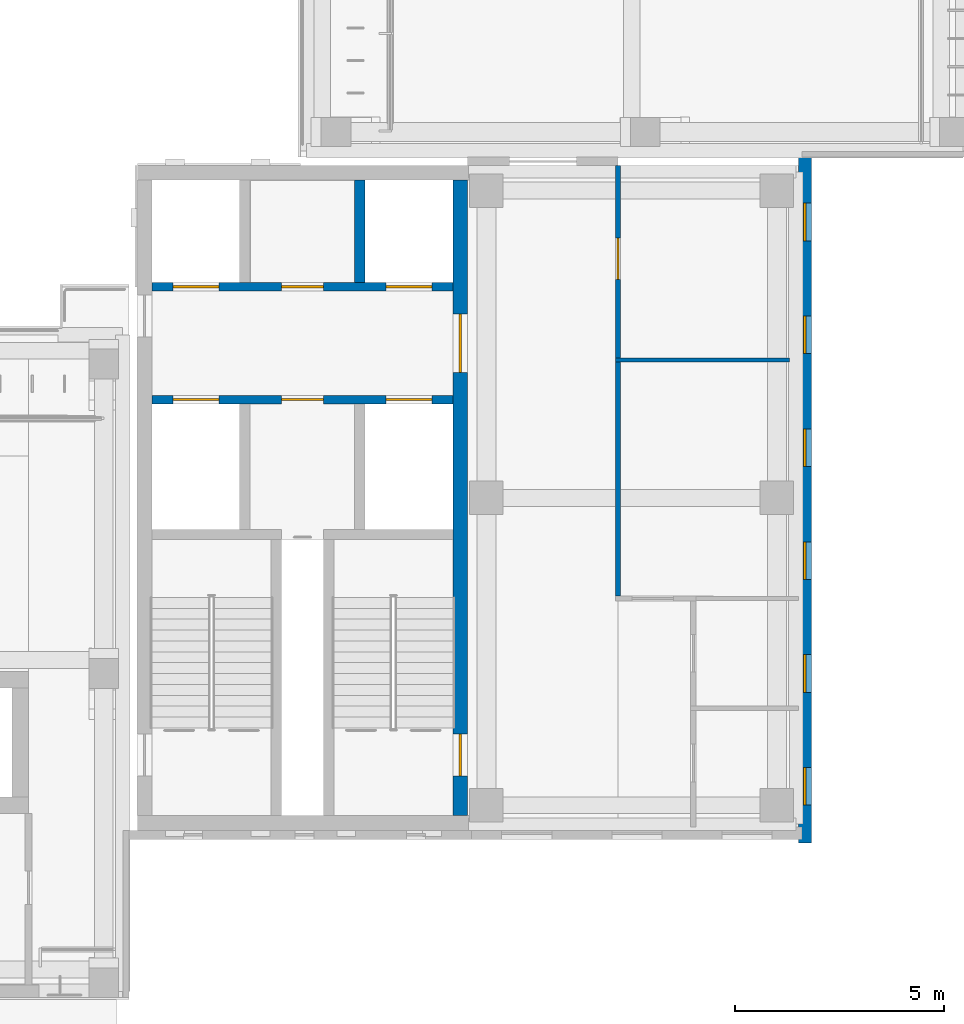
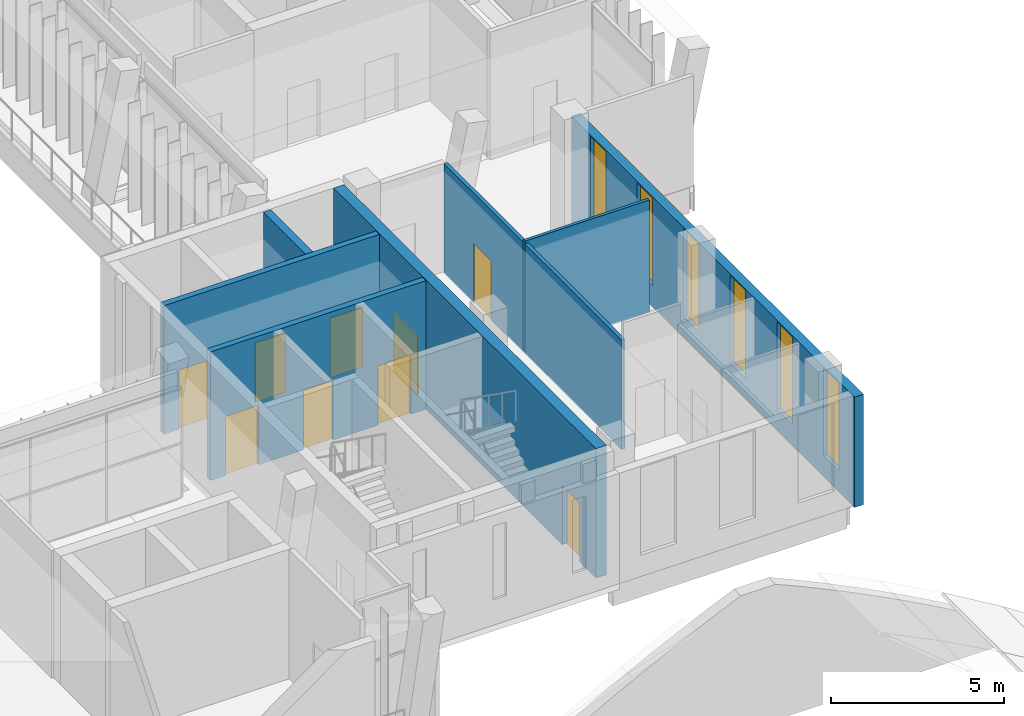
# One storey, part 45 of 74: 9 doors, 7 walls, 6 windows, 15 openings.
"""IFC4 building model written with IfcOpenShell, lengths in metres."""

from ifc_helpers import new_model, si_unit, direction, frame, frame_2d, origin, place, context, subcontext, project, spatial, rectangle, extrude, material, layer, layer_set, type_object, element, fill, save


model = new_model("IFC4")

# Units and contexts
model_context = context("Model", 3, precision=1e-05, world=origin(), true_north=direction((0.0, 1.0)))
body_context = subcontext(model_context, "Body", "Model", "MODEL_VIEW")
ifc_project = project(units=[si_unit("LENGTHUNIT", "METRE"), si_unit("AREAUNIT", "SQUARE_METRE"), si_unit("VOLUMEUNIT", "CUBIC_METRE"), si_unit("PLANEANGLEUNIT", "RADIAN"), si_unit("MASSUNIT", "GRAM", prefix="KILO")], contexts=[model_context])

# Site, building, storey
site_placement = place(None, origin())
site = spatial("IfcSite", under=ifc_project, at=site_placement, CompositionType="ELEMENT")
building_placement = place(site_placement, origin())
building = spatial("IfcBuilding", under=site, at=building_placement, Name="Lantern Court Media Centre", CompositionType="ELEMENT")
storey_placement = place(building_placement, frame((0.0, 0.0, 19.199951171875)))
storey = spatial("IfcBuildingStorey", under=building, at=storey_placement, Name="L04", CompositionType="ELEMENT", Elevation=19.199951171875)

# Wall, opening, door
ifc_material_1 = material(Name="Gypsum board partition")
ifc_layer_1 = layer(ifc_material_1, 0.125)
ifc_layer_set_1 = layer_set([ifc_layer_1], Name="Gypsum board partition")
wall_type_1 = type_object("IfcWallType", Name="Corridor partition 125", PredefinedType="PARTITIONING", material=ifc_layer_set_1)
wall_1_placement = place(storey_placement, frame((91.60009765625, 53.604736328125, 0.0), z_axis=(0.0, 0.0, 1.0), x_axis=(0.0, 1.0, 0.0)))
wall_1 = element("IfcWall", 1, at=wall_1_placement, inside=storey, type_object=wall_type_1, Name="L04 partition 048", PredefinedType="PARTITIONING", context=body_context, shape_type="SweptSolid", body=[
    extrude(rectangle(XDim=10.295166015625, YDim=0.125, at=frame_2d((5.1474609375, 0.0))), origin(), (0.0, 0.0, 1.0), 3.880126953125),
])
opening_1_placement = place(wall_1_placement, frame((7.566650390625, 0.0, 0.0)))
opening_1 = element("IfcOpeningElement", 2, at=opening_1_placement, cuts=wall_1, Name="Opening L04-034", PredefinedType="OPENING", context=body_context, shape_type="SweptSolid", body=[
    extrude(rectangle(XDim=1.0, YDim=2.10009765625, at=frame_2d((0.5, 1.050048828125))), frame((0.0, 0.072509765625, 0.0), z_axis=(0.0, -1.0, 0.0), x_axis=(1.0, 0.0, 0.0)), (0.0, 0.0, 1.0), 0.14501953125),
])
ifc_material_2 = material(Name="Solid-core timber door leaf", Category="wood")
door_type_1 = type_object("IfcDoorType", Name="Single door 1000x2100", OperationType="NOTDEFINED", PredefinedType="DOOR", material=ifc_material_2)
door_1_placement = place(opening_1_placement, frame((1.0, 0.0, 0.0), z_axis=(0.0, 0.0, 1.0), x_axis=(-1.0, 0.0, 0.0)))
door_1 = element("IfcDoor", 3, at=door_1_placement, inside=storey, type_object=door_type_1, Name="L04 Community Room 07 door", OperationType="SINGLE_SWING_LEFT", OverallHeight=2.10009765625, OverallWidth=1.0, PredefinedType="DOOR", context=body_context, shape_type="SweptSolid", body=[
    extrude(rectangle(XDim=1.0, YDim=2.10009765625, at=frame_2d((0.5, 1.050048828125))), frame((0.0, 0.02490234375, 0.0), z_axis=(0.0, -1.0, 0.0), x_axis=(1.0, 0.0, 0.0)), (0.0, 0.0, 1.0), 0.050048828125),
])
fill(opening_1, door_1)

# Wall, openings, doors
ifc_material_3 = material(Name="Concrete C40", Category="concrete")
ifc_layer_2 = layer(ifc_material_3, 0.199951171875)
ifc_layer_set_2 = layer_set([ifc_layer_2], Name="Concrete C40")
wall_type_2 = type_object("IfcWallType", Name="Fire lobby wall 200", PredefinedType="SOLIDWALL", material=ifc_layer_set_2)
wall_2_placement = place(storey_placement, frame((87.64990234375, 58.300048828125, 0.0), z_axis=(0.0, 0.0, 1.0), x_axis=(-1.0, 0.0, 0.0)))
wall_2 = element("IfcWall", 4, at=wall_2_placement, inside=storey, type_object=wall_type_2, Name="L04 SE FW1", PredefinedType="SOLIDWALL", context=body_context, shape_type="SweptSolid", body=[
    extrude(rectangle(XDim=7.199951171875, YDim=0.199951171875, at=frame_2d((3.60009765625, 0.0))), origin(), (0.0, 0.0, 1.0), 4.550048828125),
])
opening_2_placement = place(wall_2_placement, frame((0.5, 0.0, 0.0)))
opening_2 = element("IfcOpeningElement", 5, at=opening_2_placement, cuts=wall_2, Name="Opening LD-SEFF-L04", PredefinedType="OPENING", context=body_context, shape_type="SweptSolid", body=[
    extrude(rectangle(XDim=1.10009765625, YDim=2.10009765625, at=frame_2d((0.550048828125, 1.050048828125))), frame((0.0, 0.10986328125, 0.0), z_axis=(0.0, -1.0, 0.0), x_axis=(1.0, 0.0, 0.0)), (0.0, 0.0, 1.0), 0.219970703125),
])
opening_3_placement = place(wall_2_placement, frame((5.60009765625, 0.0, 0.0)))
opening_3 = element("IfcOpeningElement", 6, at=opening_3_placement, cuts=wall_2, Name="Opening LD-SEP1-L04", PredefinedType="OPENING", context=body_context, shape_type="SweptSolid", body=[
    extrude(rectangle(XDim=1.10009765625, YDim=2.10009765625, at=frame_2d((0.550048828125, 1.050048828125))), frame((0.0, 0.10986328125, 0.0), z_axis=(0.0, -1.0, 0.0), x_axis=(1.0, 0.0, 0.0)), (0.0, 0.0, 1.0), 0.219970703125),
])
opening_4_placement = place(wall_2_placement, frame((3.10009765625, 0.0, 0.0)))
opening_4 = element("IfcOpeningElement", 7, at=opening_4_placement, cuts=wall_2, Name="Opening SE-L04-03", PredefinedType="OPENING", context=body_context, shape_type="SweptSolid", body=[
    extrude(rectangle(XDim=1.0, YDim=2.10009765625, at=frame_2d((0.5, 1.050048828125))), frame((0.0, 0.10986328125, 0.0), z_axis=(0.0, -1.0, 0.0), x_axis=(1.0, 0.0, 0.0)), (0.0, 0.0, 1.0), 0.219970703125),
])
ifc_material_4 = material(Name="Steel door leaf", Category="steel")
door_type_2 = type_object("IfcDoorType", Name="Lift landing door 1100x2100", OperationType="DOUBLE_DOOR_SLIDING", PredefinedType="DOOR", material=ifc_material_4)
door_2_placement = place(opening_2_placement, frame((1.10009765625, 0.0, 0.0), z_axis=(0.0, 0.0, 1.0), x_axis=(-1.0, 0.0, 0.0)))
door_2 = element("IfcDoor", 8, at=door_2_placement, inside=storey, type_object=door_type_2, Name="L04 SE lift FF landing door", OperationType="DOUBLE_DOOR_SLIDING", OverallHeight=2.10009765625, OverallWidth=1.10009765625, PredefinedType="DOOR", context=body_context, shape_type="SweptSolid", body=[
    extrude(rectangle(XDim=1.10009765625, YDim=2.10009765625, at=frame_2d((0.550048828125, 1.050048828125))), frame((0.0, 0.02490234375, 0.0), z_axis=(0.0, -1.0, 0.0), x_axis=(1.0, 0.0, 0.0)), (0.0, 0.0, 1.0), 0.050048828125),
])
fill(opening_2, door_2)
door_3_placement = place(opening_3_placement, frame((1.10009765625, 0.0, 0.0), z_axis=(0.0, 0.0, 1.0), x_axis=(-1.0, 0.0, 0.0)))
door_3 = element("IfcDoor", 9, at=door_3_placement, inside=storey, type_object=door_type_2, Name="L04 SE lift P1 landing door", OperationType="DOUBLE_DOOR_SLIDING", OverallHeight=2.10009765625, OverallWidth=1.10009765625, PredefinedType="DOOR", context=body_context, shape_type="SweptSolid", body=[
    extrude(rectangle(XDim=1.10009765625, YDim=2.10009765625, at=frame_2d((0.550048828125, 1.050048828125))), frame((0.0, 0.02490234375, 0.0), z_axis=(0.0, -1.0, 0.0), x_axis=(1.0, 0.0, 0.0)), (0.0, 0.0, 1.0), 0.050048828125),
])
fill(opening_3, door_3)
door_type_3 = type_object("IfcDoorType", Name="Service door 1000x2100", OperationType="NOTDEFINED", PredefinedType="DOOR", material=ifc_material_4)
door_4_placement = place(opening_4_placement, frame((1.0, 0.0, 0.0), z_axis=(0.0, 0.0, 1.0), x_axis=(-1.0, 0.0, 0.0)))
door_4 = element("IfcDoor", 10, at=door_4_placement, inside=storey, type_object=door_type_3, Name="L04 SE services riser door", OperationType="SINGLE_SWING_LEFT", OverallHeight=2.10009765625, OverallWidth=1.0, PredefinedType="DOOR", context=body_context, shape_type="SweptSolid", body=[
    extrude(rectangle(XDim=1.0, YDim=2.10009765625, at=frame_2d((0.5, 1.050048828125))), frame((0.0, 0.02490234375, 0.0), z_axis=(0.0, -1.0, 0.0), x_axis=(1.0, 0.0, 0.0)), (0.0, 0.0, 1.0), 0.050048828125),
])
fill(opening_4, door_4)

wall_3_placement = place(storey_placement, frame((87.64990234375, 61.0, 0.0), z_axis=(0.0, 0.0, 1.0), x_axis=(-1.0, 0.0, 0.0)))
wall_3 = element("IfcWall", 11, at=wall_3_placement, inside=storey, type_object=wall_type_2, Name="L04 SE FW2", PredefinedType="SOLIDWALL", context=body_context, shape_type="SweptSolid", body=[
    extrude(rectangle(XDim=7.199951171875, YDim=0.199951171875, at=frame_2d((3.60009765625, 0.0))), origin(), (0.0, 0.0, 1.0), 4.550048828125),
])
opening_5_placement = place(wall_3_placement, frame((0.5, 0.0, 0.0)))
opening_5 = element("IfcOpeningElement", 12, at=opening_5_placement, cuts=wall_3, Name="Opening LD-SEP2-L04", PredefinedType="OPENING", context=body_context, shape_type="SweptSolid", body=[
    extrude(rectangle(XDim=1.10009765625, YDim=2.10009765625, at=frame_2d((0.550048828125, 1.050048828125))), frame((0.0, 0.10986328125, 0.0), z_axis=(0.0, -1.0, 0.0), x_axis=(1.0, 0.0, 0.0)), (0.0, 0.0, 1.0), 0.219970703125),
])
opening_6_placement = place(wall_3_placement, frame((5.60009765625, 0.0, 0.0)))
opening_6 = element("IfcOpeningElement", 13, at=opening_6_placement, cuts=wall_3, Name="Opening LD-SEP3-L04", PredefinedType="OPENING", context=body_context, shape_type="SweptSolid", body=[
    extrude(rectangle(XDim=1.10009765625, YDim=2.10009765625, at=frame_2d((0.550048828125, 1.050048828125))), frame((0.0, 0.10986328125, 0.0), z_axis=(0.0, -1.0, 0.0), x_axis=(1.0, 0.0, 0.0)), (0.0, 0.0, 1.0), 0.219970703125),
])
opening_7_placement = place(wall_3_placement, frame((3.10009765625, 0.0, 0.0)))
opening_7 = element("IfcOpeningElement", 14, at=opening_7_placement, cuts=wall_3, Name="Opening SE-L04-04", PredefinedType="OPENING", context=body_context, shape_type="SweptSolid", body=[
    extrude(rectangle(XDim=1.0, YDim=2.10009765625, at=frame_2d((0.5, 1.050048828125))), frame((0.0, 0.10986328125, 0.0), z_axis=(0.0, -1.0, 0.0), x_axis=(1.0, 0.0, 0.0)), (0.0, 0.0, 1.0), 0.219970703125),
])
door_5_placement = place(opening_5_placement, origin())
door_5 = element("IfcDoor", 15, at=door_5_placement, inside=storey, type_object=door_type_2, Name="L04 SE lift P2 landing door", OperationType="DOUBLE_DOOR_SLIDING", OverallHeight=2.10009765625, OverallWidth=1.10009765625, PredefinedType="DOOR", context=body_context, shape_type="SweptSolid", body=[
    extrude(rectangle(XDim=1.10009765625, YDim=2.10009765625, at=frame_2d((0.550048828125, 1.050048828125))), frame((0.0, 0.02490234375, 0.0), z_axis=(0.0, -1.0, 0.0), x_axis=(1.0, 0.0, 0.0)), (0.0, 0.0, 1.0), 0.050048828125),
])
fill(opening_5, door_5)
door_6_placement = place(opening_6_placement, origin())
door_6 = element("IfcDoor", 16, at=door_6_placement, inside=storey, type_object=door_type_2, Name="L04 SE lift P3 landing door", OperationType="DOUBLE_DOOR_SLIDING", OverallHeight=2.10009765625, OverallWidth=1.10009765625, PredefinedType="DOOR", context=body_context, shape_type="SweptSolid", body=[
    extrude(rectangle(XDim=1.10009765625, YDim=2.10009765625, at=frame_2d((0.550048828125, 1.050048828125))), frame((0.0, 0.02490234375, 0.0), z_axis=(0.0, -1.0, 0.0), x_axis=(1.0, 0.0, 0.0)), (0.0, 0.0, 1.0), 0.050048828125),
])
fill(opening_6, door_6)
door_7_placement = place(opening_7_placement, origin())
door_7 = element("IfcDoor", 17, at=door_7_placement, inside=storey, type_object=door_type_3, Name="L04 SE accessible WC door", OperationType="SINGLE_SWING_RIGHT", OverallHeight=2.10009765625, OverallWidth=1.0, PredefinedType="DOOR", context=body_context, shape_type="SweptSolid", body=[
    extrude(rectangle(XDim=1.0, YDim=2.10009765625, at=frame_2d((0.5, 1.050048828125))), frame((0.0, 0.02490234375, 0.0), z_axis=(0.0, -1.0, 0.0), x_axis=(1.0, 0.0, 0.0)), (0.0, 0.0, 1.0), 0.050048828125),
])
fill(opening_7, door_7)

# Wall, openings, windows
ifc_material_5 = material(Name="Honed limestone cladding on blockwork", Category="masonry")
ifc_layer_3 = layer(ifc_material_5, 0.300048828125)
ifc_layer_set_3 = layer_set([ifc_layer_3], Name="Honed limestone cladding on blockwork")
wall_type_3 = type_object("IfcWallType", Name="Limestone block wall 300", PredefinedType="SOLIDWALL", material=ifc_layer_set_3)
wall_4_placement = place(storey_placement, frame((96.070068359375, 47.699951171875, 0.0), z_axis=(0.0, 0.0, 1.0), x_axis=(0.0, 1.0, 0.0)))
wall_4 = element("IfcWall", 18, at=wall_4_placement, inside=storey, type_object=wall_type_3, Name="Limestone wall SE E L04", PredefinedType="SOLIDWALL", context=body_context, shape_type="SweptSolid", body=[
    extrude(rectangle(XDim=16.400146484375, YDim=0.300048828125, at=frame_2d((8.2001953125, 0.0))), origin(), (0.0, 0.0, 1.0), 3.900146484375),
])
opening_8_placement = place(wall_4_placement, frame((0.89990234375, 0.0, 0.75)))
opening_8 = element("IfcOpeningElement", 19, at=opening_8_placement, cuts=wall_4, Name="Opening WN-N", PredefinedType="OPENING", context=body_context, shape_type="SweptSolid", body=[
    extrude(rectangle(XDim=0.89990234375, YDim=3.10009765625, at=frame_2d((0.449951171875, 1.550048828125))), frame((0.0, 0.159912109375, 0.0), z_axis=(0.0, -1.0, 0.0), x_axis=(1.0, 0.0, 0.0)), (0.0, 0.0, 1.0), 0.320068359375),
])
opening_9_placement = place(wall_4_placement, frame((3.60009765625, 0.0, 0.75)))
opening_9 = element("IfcOpeningElement", 20, at=opening_9_placement, cuts=wall_4, Name="Opening WN-N", PredefinedType="OPENING", context=body_context, shape_type="SweptSolid", body=[
    extrude(rectangle(XDim=0.89990234375, YDim=3.10009765625, at=frame_2d((0.449951171875, 1.550048828125))), frame((0.0, 0.159912109375, 0.0), z_axis=(0.0, -1.0, 0.0), x_axis=(1.0, 0.0, 0.0)), (0.0, 0.0, 1.0), 0.320068359375),
])
opening_10_placement = place(wall_4_placement, frame((6.300048828125, 0.0, 0.75)))
opening_10 = element("IfcOpeningElement", 21, at=opening_10_placement, cuts=wall_4, Name="Opening WN-N", PredefinedType="OPENING", context=body_context, shape_type="SweptSolid", body=[
    extrude(rectangle(XDim=0.89990234375, YDim=3.10009765625, at=frame_2d((0.449951171875, 1.550048828125))), frame((0.0, 0.159912109375, 0.0), z_axis=(0.0, -1.0, 0.0), x_axis=(1.0, 0.0, 0.0)), (0.0, 0.0, 1.0), 0.320068359375),
])
opening_11_placement = place(wall_4_placement, frame((9.0, 0.0, 0.75)))
opening_11 = element("IfcOpeningElement", 22, at=opening_11_placement, cuts=wall_4, Name="Opening WN-N", PredefinedType="OPENING", context=body_context, shape_type="SweptSolid", body=[
    extrude(rectangle(XDim=0.89990234375, YDim=3.10009765625, at=frame_2d((0.449951171875, 1.550048828125))), frame((0.0, 0.159912109375, 0.0), z_axis=(0.0, -1.0, 0.0), x_axis=(1.0, 0.0, 0.0)), (0.0, 0.0, 1.0), 0.320068359375),
])
opening_12_placement = place(wall_4_placement, frame((11.699951171875, 0.0, 0.75)))
opening_12 = element("IfcOpeningElement", 23, at=opening_12_placement, cuts=wall_4, Name="Opening WN-N", PredefinedType="OPENING", context=body_context, shape_type="SweptSolid", body=[
    extrude(rectangle(XDim=0.89990234375, YDim=3.10009765625, at=frame_2d((0.449951171875, 1.550048828125))), frame((0.0, 0.159912109375, 0.0), z_axis=(0.0, -1.0, 0.0), x_axis=(1.0, 0.0, 0.0)), (0.0, 0.0, 1.0), 0.320068359375),
])
opening_13_placement = place(wall_4_placement, frame((14.39990234375, 0.0, 0.75)))
opening_13 = element("IfcOpeningElement", 24, at=opening_13_placement, cuts=wall_4, Name="Opening WN-N", PredefinedType="OPENING", context=body_context, shape_type="SweptSolid", body=[
    extrude(rectangle(XDim=0.89990234375, YDim=3.10009765625, at=frame_2d((0.449951171875, 1.550048828125))), frame((0.0, 0.159912109375, 0.0), z_axis=(0.0, -1.0, 0.0), x_axis=(1.0, 0.0, 0.0)), (0.0, 0.0, 1.0), 0.320068359375),
])
ifc_material_6 = material(Name="Anodised aluminium and glass", Category="aluminium")
window_type = type_object("IfcWindowType", Name="Pier window 900x3100", PartitioningType="SINGLE_PANEL", PredefinedType="WINDOW", material=ifc_material_6)
window_1_placement = place(opening_8_placement, origin())
window_1 = element("IfcWindow", 25, at=window_1_placement, inside=storey, type_object=window_type, Name="Window SE E L04", OverallHeight=3.10009765625, OverallWidth=0.89990234375, PartitioningType="SINGLE_PANEL", PredefinedType="WINDOW", context=body_context, shape_type="SweptSolid", body=[
    extrude(rectangle(XDim=0.89990234375, YDim=3.10009765625, at=frame_2d((0.449951171875, 1.550048828125))), frame((0.0, 0.030029296875, 0.0), z_axis=(0.0, -1.0, 0.0), x_axis=(1.0, 0.0, 0.0)), (0.0, 0.0, 1.0), 0.06005859375),
])
fill(opening_8, window_1)
window_2_placement = place(opening_9_placement, origin())
window_2 = element("IfcWindow", 26, at=window_2_placement, inside=storey, type_object=window_type, Name="Window SE E L04", OverallHeight=3.10009765625, OverallWidth=0.89990234375, PartitioningType="SINGLE_PANEL", PredefinedType="WINDOW", context=body_context, shape_type="SweptSolid", body=[
    extrude(rectangle(XDim=0.89990234375, YDim=3.10009765625, at=frame_2d((0.449951171875, 1.550048828125))), frame((0.0, 0.030029296875, 0.0), z_axis=(0.0, -1.0, 0.0), x_axis=(1.0, 0.0, 0.0)), (0.0, 0.0, 1.0), 0.06005859375),
])
fill(opening_9, window_2)
window_3_placement = place(opening_10_placement, origin())
window_3 = element("IfcWindow", 27, at=window_3_placement, inside=storey, type_object=window_type, Name="Window SE E L04", OverallHeight=3.10009765625, OverallWidth=0.89990234375, PartitioningType="SINGLE_PANEL", PredefinedType="WINDOW", context=body_context, shape_type="SweptSolid", body=[
    extrude(rectangle(XDim=0.89990234375, YDim=3.10009765625, at=frame_2d((0.449951171875, 1.550048828125))), frame((0.0, 0.030029296875, 0.0), z_axis=(0.0, -1.0, 0.0), x_axis=(1.0, 0.0, 0.0)), (0.0, 0.0, 1.0), 0.06005859375),
])
fill(opening_10, window_3)
window_4_placement = place(opening_11_placement, origin())
window_4 = element("IfcWindow", 28, at=window_4_placement, inside=storey, type_object=window_type, Name="Window SE E L04", OverallHeight=3.10009765625, OverallWidth=0.89990234375, PartitioningType="SINGLE_PANEL", PredefinedType="WINDOW", context=body_context, shape_type="SweptSolid", body=[
    extrude(rectangle(XDim=0.89990234375, YDim=3.10009765625, at=frame_2d((0.449951171875, 1.550048828125))), frame((0.0, 0.030029296875, 0.0), z_axis=(0.0, -1.0, 0.0), x_axis=(1.0, 0.0, 0.0)), (0.0, 0.0, 1.0), 0.06005859375),
])
fill(opening_11, window_4)
window_5_placement = place(opening_12_placement, origin())
window_5 = element("IfcWindow", 29, at=window_5_placement, inside=storey, type_object=window_type, Name="Window SE E L04", OverallHeight=3.10009765625, OverallWidth=0.89990234375, PartitioningType="SINGLE_PANEL", PredefinedType="WINDOW", context=body_context, shape_type="SweptSolid", body=[
    extrude(rectangle(XDim=0.89990234375, YDim=3.10009765625, at=frame_2d((0.449951171875, 1.550048828125))), frame((0.0, 0.030029296875, 0.0), z_axis=(0.0, -1.0, 0.0), x_axis=(1.0, 0.0, 0.0)), (0.0, 0.0, 1.0), 0.06005859375),
])
fill(opening_12, window_5)
window_6_placement = place(opening_13_placement, origin())
window_6 = element("IfcWindow", 30, at=window_6_placement, inside=storey, type_object=window_type, Name="Window SE E L04", OverallHeight=3.10009765625, OverallWidth=0.89990234375, PartitioningType="SINGLE_PANEL", PredefinedType="WINDOW", context=body_context, shape_type="SweptSolid", body=[
    extrude(rectangle(XDim=0.89990234375, YDim=3.10009765625, at=frame_2d((0.449951171875, 1.550048828125))), frame((0.0, 0.030029296875, 0.0), z_axis=(0.0, -1.0, 0.0), x_axis=(1.0, 0.0, 0.0)), (0.0, 0.0, 1.0), 0.06005859375),
])
fill(opening_13, window_6)

# Wall
ifc_layer_4 = layer(ifc_material_1, 0.10009765625)
ifc_layer_set_4 = layer_set([ifc_layer_4], Name="Gypsum board partition")
wall_type_4 = type_object("IfcWallType", Name="Partition 100", PredefinedType="PARTITIONING", material=ifc_layer_set_4)
wall_5_placement = place(storey_placement, frame((91.53759765625, 59.25, 0.0), z_axis=(0.0, 0.0, 1.0), x_axis=(1.0, 0.0, 0.0)))
element("IfcWall", 31, at=wall_5_placement, inside=storey, type_object=wall_type_4, Name="L04 partition 052", PredefinedType="PARTITIONING", context=body_context, shape_type="SweptSolid", body=[
    extrude(rectangle(XDim=4.162353515625, YDim=0.10009765625, at=frame_2d((2.0810546875, 0.0))), origin(), (0.0, 0.0, 1.0), 3.97998046875),
])

# Wall, openings, doors
ifc_layer_5 = layer(ifc_material_3, 0.35009765625)
ifc_layer_set_5 = layer_set([ifc_layer_5], Name="Concrete C40")
wall_type_5 = type_object("IfcWallType", Name="RC CORE WALL 350", PredefinedType="SHEAR", material=ifc_layer_set_5)
wall_6_placement = place(storey_placement, frame((87.824951171875, 48.35009765625, 0.0), z_axis=(0.0, 0.0, 1.0), x_axis=(0.0, 1.0, 0.0)))
wall_6 = element("IfcWall", 32, at=wall_6_placement, inside=storey, type_object=wall_type_5, Name="WC-SE-L04-E", PredefinedType="SHEAR", context=body_context, shape_type="SweptSolid", body=[
    extrude(rectangle(XDim=15.199951171875, YDim=0.35009765625, at=frame_2d((7.60009765625, 0.0))), origin(), (0.0, 0.0, 1.0), 4.580078125),
])
opening_14_placement = place(wall_6_placement, frame((0.949951171875, 0.0, 0.0)))
opening_14 = element("IfcOpeningElement", 33, at=opening_14_placement, cuts=wall_6, Name="Opening SE-L04-01", PredefinedType="OPENING", context=body_context, shape_type="SweptSolid", body=[
    extrude(rectangle(XDim=1.0, YDim=2.10009765625, at=frame_2d((0.5, 1.050048828125))), frame((0.0, 0.18505859375, 0.0), z_axis=(0.0, -1.0, 0.0), x_axis=(1.0, 0.0, 0.0)), (0.0, 0.0, 1.0), 0.3701171875),
])
opening_15_placement = place(wall_6_placement, frame((10.60009765625, 0.0, 0.0)))
opening_15 = element("IfcOpeningElement", 34, at=opening_15_placement, cuts=wall_6, Name="Opening SE-L04-05", PredefinedType="OPENING", context=body_context, shape_type="SweptSolid", body=[
    extrude(rectangle(XDim=1.39990234375, YDim=2.10009765625, at=frame_2d((0.699951171875, 1.050048828125))), frame((0.0, 0.18505859375, 0.0), z_axis=(0.0, -1.0, 0.0), x_axis=(1.0, 0.0, 0.0)), (0.0, 0.0, 1.0), 0.3701171875),
])
door_type_4 = type_object("IfcDoorType", Name="Lift lobby double door 1400x2100", OperationType="NOTDEFINED", PredefinedType="DOOR", material=ifc_material_4)
door_8_placement = place(opening_15_placement, frame((1.39990234375, 0.0, 0.0), z_axis=(0.0, 0.0, 1.0), x_axis=(-1.0, 0.0, 0.0)))
door_8 = element("IfcDoor", 35, at=door_8_placement, inside=storey, type_object=door_type_4, Name="L04 SE lift lobby west door", OperationType="SINGLE_SWING_LEFT", OverallHeight=2.10009765625, OverallWidth=1.39990234375, PredefinedType="DOOR", context=body_context, shape_type="SweptSolid", body=[
    extrude(rectangle(XDim=1.39990234375, YDim=2.10009765625, at=frame_2d((0.699951171875, 1.050048828125))), frame((0.0, 0.02490234375, 0.0), z_axis=(0.0, -1.0, 0.0), x_axis=(1.0, 0.0, 0.0)), (0.0, 0.0, 1.0), 0.050048828125),
])
fill(opening_15, door_8)
door_type_5 = type_object("IfcDoorType", Name="Stair door 1000x2100", OperationType="NOTDEFINED", PredefinedType="DOOR", material=ifc_material_4)
door_9_placement = place(opening_14_placement, frame((1.0, 0.0, 0.0), z_axis=(0.0, 0.0, 1.0), x_axis=(-1.0, 0.0, 0.0)))
door_9 = element("IfcDoor", 36, at=door_9_placement, inside=storey, type_object=door_type_5, Name="L04 SE stair A door", OperationType="SINGLE_SWING_LEFT", OverallHeight=2.10009765625, OverallWidth=1.0, PredefinedType="DOOR", context=body_context, shape_type="SweptSolid", body=[
    extrude(rectangle(XDim=1.0, YDim=2.10009765625, at=frame_2d((0.5, 1.050048828125))), frame((0.0, 0.02490234375, 0.0), z_axis=(0.0, -1.0, 0.0), x_axis=(1.0, 0.0, 0.0)), (0.0, 0.0, 1.0), 0.050048828125),
])
fill(opening_14, door_9)

# Wall
ifc_layer_6 = layer(ifc_material_3, 0.25)
ifc_layer_set_6 = layer_set([ifc_layer_6], Name="Concrete C40")
wall_type_6 = type_object("IfcWallType", Name="RC lift shaft wall 250", PredefinedType="SOLIDWALL", material=ifc_layer_set_6)
wall_7_placement = place(storey_placement, frame((85.425048828125, 61.10009765625, 0.0), z_axis=(0.0, 0.0, 1.0), x_axis=(0.0, 1.0, 0.0)))
element("IfcWall", 37, at=wall_7_placement, inside=storey, type_object=wall_type_6, Name="L04 SE L1b", PredefinedType="SOLIDWALL", context=body_context, shape_type="SweptSolid", body=[
    extrude(rectangle(XDim=2.449951171875, YDim=0.25, at=frame_2d((1.22509765625, 0.0))), origin(), (0.0, 0.0, 1.0), 4.550048828125),
])

save(model, "model.ifc")
